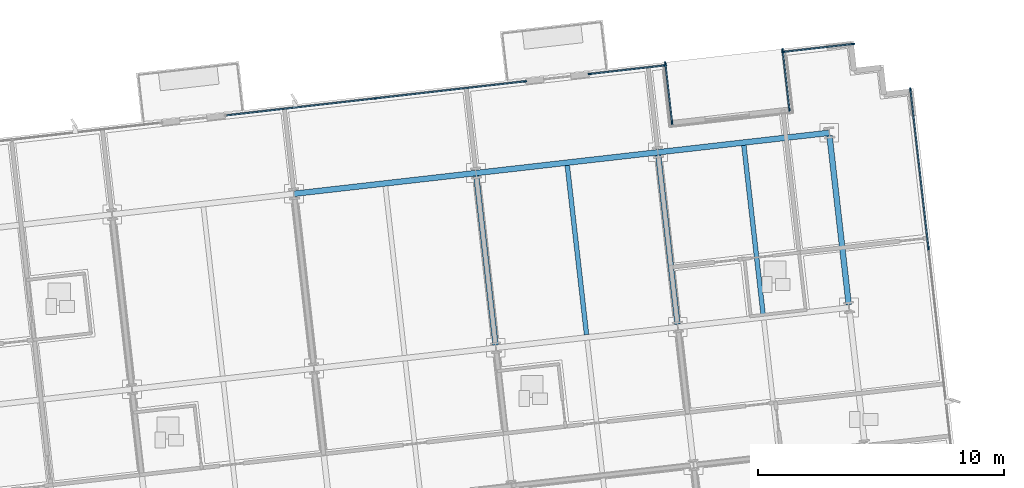
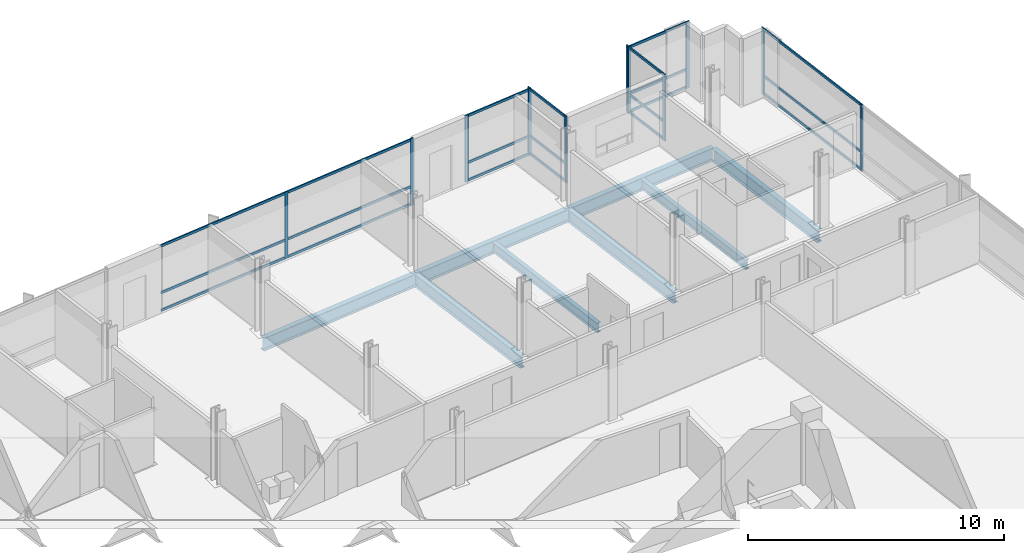
# One storey, part 7 of 16: 33 members, 8 beams, 6 elements without a shape of their own.
"""IFC4 building model written with IfcOpenShell, lengths in metres."""

from ifc_helpers import new_model, si_unit, direction, frame, origin, origin_2d, place, context, subcontext, project, spatial, rectangle, i_section, extrude, material, material_profile, profile_set, type_object, element, aggregate, save


model = new_model("IFC4")

# Units and contexts
model_context = context("Model", 3, precision=1e-05, world=origin(), true_north=direction((0.0, 1.0)))
body_context = subcontext(model_context, "Body", "Model", "MODEL_VIEW")
ifc_project = project(units=[si_unit("LENGTHUNIT", "METRE"), si_unit("AREAUNIT", "SQUARE_METRE"), si_unit("VOLUMEUNIT", "CUBIC_METRE"), si_unit("PLANEANGLEUNIT", "RADIAN"), si_unit("MASSUNIT", "GRAM", prefix="KILO")], contexts=[model_context])

# Site, building, storey
site_placement = place(None, origin())
site = spatial("IfcSite", under=ifc_project, at=site_placement, CompositionType="ELEMENT")
building_placement = place(site_placement, origin())
building = spatial("IfcBuilding", under=site, at=building_placement, Name="Solmavex Isthmus Hotel", CompositionType="ELEMENT")
storey_placement = place(building_placement, frame((0.0, 0.0, 219.300048828125)))
storey = spatial("IfcBuildingStorey", under=building, at=storey_placement, Name="L59", CompositionType="ELEMENT", Elevation=219.300048828125)

# Beams
ifc_material_1 = material(Name="Steel ASTM A992 Grade 50", Category="steel")
ifc_material_profile_1 = material_profile(ifc_material_1, i_section(OverallWidth=0.1904296875, OverallDepth=0.456787109375, WebThickness=0.009033203125, FlangeThickness=0.014404296875, FilletRadius=0.0126953125, at=origin_2d()), Name="W18X50")
ifc_profile_set_1 = profile_set([ifc_material_profile_1], Name="Steel ASTM A992 Grade 50")
beam_type_1 = type_object("IfcBeamType", Name="BM-BJ-W18X50", PredefinedType="JOIST", material=ifc_profile_set_1)
for number, where, z_axis, x_axis, name in (
    (1, (14.4072265625, 10.975830078125, -0.488525390625), (-0.113202453846, 0.993571942258, 0.0), (-0.993571942258, -0.113202453846, 0.0), "Secondary Floor Joist L59-J18"),
    (2, (21.587646484375, 11.7939453125, -0.488525390625), (-0.113202453846, 0.993571942258, 0.0), (-0.993571942258, -0.113202453846, 0.0), "Secondary Floor Joist L59-J21"),
):
    element("IfcBeam", number, at=place(storey_placement, frame(where, z_axis=z_axis, x_axis=x_axis)), inside=storey, type_object=beam_type_1, Name=name, PredefinedType="JOIST", context=body_context, shape_type="SweptSolid", body=[
        extrude(i_section(OverallWidth=0.1904296875, OverallDepth=0.456787109375, WebThickness=0.009033203125, FlangeThickness=0.014404296875, FilletRadius=0.0126953125, at=origin_2d()), origin(), (0.0, 0.0, 1.0), 6.9228515625),
    ])
ifc_material_profile_2 = material_profile(ifc_material_1, i_section(OverallWidth=0.227783203125, OverallDepth=0.602783203125, WebThickness=0.010498046875, FlangeThickness=0.014892578125, FilletRadius=0.01513671875, at=origin_2d()), Name="W24X68")
ifc_profile_set_2 = profile_set([ifc_material_profile_2], Name="Steel ASTM A992 Grade 50")
beam_type_2 = type_object("IfcBeamType", Name="BM-BM-W24X68", PredefinedType="BEAM", material=ifc_profile_set_2)
for number, where, z_axis, x_axis, name in (
    (3, (10.708251953125, 10.55419921875, -0.561279296875), (-0.113202453846, 0.993571942258, 0.0), (-0.993571942258, -0.113202453846, 0.0), "Floor Beam L59-VG39"),
    (4, (18.106201171875, 11.397216796875, -0.561279296875), (-0.113202453846, 0.993571942258, 0.0), (-0.993571942258, -0.113202453846, 0.0), "Floor Beam L59-VG42"),
):
    element("IfcBeam", number, at=place(storey_placement, frame(where, z_axis=z_axis, x_axis=x_axis)), inside=storey, type_object=beam_type_2, Name=name, PredefinedType="BEAM", context=body_context, shape_type="SweptSolid", body=[
        extrude(i_section(OverallWidth=0.227783203125, OverallDepth=0.602783203125, WebThickness=0.010498046875, FlangeThickness=0.014892578125, FilletRadius=0.01513671875, at=origin_2d()), origin(), (0.0, 0.0, 1.0), 6.9228515625),
    ])
ifc_material_profile_3 = material_profile(ifc_material_1, i_section(OverallWidth=0.230224609375, OverallDepth=0.617431640625, WebThickness=0.01318359375, FlangeThickness=0.022216796875, FilletRadius=0.01513671875, at=origin_2d()), Name="W24X94")
ifc_profile_set_3 = profile_set([ifc_material_profile_3], Name="Steel ASTM A992 Grade 50")
beam_type_3 = type_object("IfcBeamType", Name="BM-SP-W24X94", PredefinedType="SPANDREL", material=ifc_profile_set_3)
for number, where, z_axis, x_axis, name in (
    (5, (2.51318359375, 16.7041015625, -0.56884765625), (0.9935703463, 0.113216460607, 0.0), (-0.113216460607, 0.9935703463, 0.0), "Floor Girder L59-UG21"),
    (6, (9.911376953125, 17.547119140625, -0.56884765625), (0.9935703463, 0.113216460607, 0.0), (-0.113216460607, 0.9935703463, 0.0), "Floor Girder L59-UG22"),
):
    element("IfcBeam", number, at=place(storey_placement, frame(where, z_axis=z_axis, x_axis=x_axis)), inside=storey, type_object=beam_type_3, Name=name, PredefinedType="SPANDREL", context=body_context, shape_type="SweptSolid", body=[
        extrude(i_section(OverallWidth=0.230224609375, OverallDepth=0.617431640625, WebThickness=0.01318359375, FlangeThickness=0.022216796875, FilletRadius=0.01513671875, at=origin_2d()), origin(), (0.0, 0.0, 1.0), 7.446044921875),
    ])
beam_1_placement = place(storey_placement, frame((17.3095703125, 18.39013671875, -0.56884765625), z_axis=(0.99357359356, 0.113187959519, 0.0), x_axis=(-0.113187959519, 0.99357359356, 0.0)))
element("IfcBeam", 7, at=beam_1_placement, inside=storey, type_object=beam_type_3, Name="Floor Girder L59-UG23", PredefinedType="SPANDREL", context=body_context, shape_type="SweptSolid", body=[
    extrude(i_section(OverallWidth=0.230224609375, OverallDepth=0.617431640625, WebThickness=0.01318359375, FlangeThickness=0.022216796875, FilletRadius=0.01513671875, at=origin_2d()), origin(), (0.0, 0.0, 1.0), 7.0078125),
])
beam_2_placement = place(storey_placement, frame((25.0693359375, 12.1904296875, -0.56884765625), z_axis=(-0.113202453846, 0.993571942258, 0.0), x_axis=(-0.993571942258, -0.113202453846, 0.0)))
element("IfcBeam", 8, at=beam_2_placement, inside=storey, type_object=beam_type_3, Name="Floor Beam L59-VG45", PredefinedType="SPANDREL", context=body_context, shape_type="SweptSolid", body=[
    extrude(i_section(OverallWidth=0.230224609375, OverallDepth=0.617431640625, WebThickness=0.01318359375, FlangeThickness=0.022216796875, FilletRadius=0.01513671875, at=origin_2d()), origin(), (0.0, 0.0, 1.0), 6.9228515625),
])

# Curtain wall, members
ifc_material_2 = material(Name="Aluminium alloy 6063-T6", Category="aluminium")
curtain_wall_type = type_object("IfcCurtainWallType", Name="CW-SYS-06", PredefinedType="NOTDEFINED", material=ifc_material_2)
curtain_wall_1_placement = place(storey_placement, origin())
curtain_wall_1 = element("IfcCurtainWall", 9, at=curtain_wall_1_placement, inside=storey, type_object=curtain_wall_type, Name="Stick Curtain Wall CWL-L59-SGW", PredefinedType="NOTDEFINED")
ifc_material_profile_4 = material_profile(ifc_material_2, rectangle(XDim=0.06005859375, YDim=0.139892578125, at=origin_2d()), Name="CWM-60X140")
ifc_profile_set_4 = profile_set([ifc_material_profile_4], Name="Aluminium alloy 6063-T6")
member_type_1 = type_object("IfcMemberType", Name="CW-SYS-06-MUL", PredefinedType="MULLION", material=ifc_profile_set_4)
member_1_placement = place(storey_placement, frame((17.885009765625, 19.593017578125, 0.0), z_axis=(0.0, 0.0, 1.0), x_axis=(-0.993572045023, -0.113201551883, 0.0)))
member_1 = element("IfcMember", 10, at=member_1_placement, type_object=member_type_1, Name="CW-06 mullion 1", PredefinedType="MULLION", context=body_context, shape_type="SweptSolid", body=[
    extrude(rectangle(XDim=0.06005859375, YDim=0.139892578125, at=origin_2d()), origin(), (0.0, 0.0, 1.0), 3.18994140625),
])
member_2_placement = place(storey_placement, frame((17.611083984375, 21.997314453125, 0.0), z_axis=(0.0, 0.0, 1.0), x_axis=(-0.993572045023, -0.113201551883, 0.0)))
member_2 = element("IfcMember", 11, at=member_2_placement, type_object=member_type_1, Name="CW-06 mullion 2", PredefinedType="MULLION", context=body_context, shape_type="SweptSolid", body=[
    extrude(rectangle(XDim=0.06005859375, YDim=0.139892578125, at=origin_2d()), origin(), (0.0, 0.0, 1.0), 3.18994140625),
])

curtain_wall_2_placement = place(storey_placement, origin())
curtain_wall_2 = element("IfcCurtainWall", 12, at=curtain_wall_2_placement, inside=storey, type_object=curtain_wall_type, Name="Stick Curtain Wall CWL-L59-SGE", PredefinedType="NOTDEFINED")
member_3_placement = place(storey_placement, frame((22.654296875, 20.13623046875, 0.0), z_axis=(0.0, 0.0, 1.0), x_axis=(-0.993572045023, -0.113201551883, 0.0)))
member_3 = element("IfcMember", 13, at=member_3_placement, type_object=member_type_1, Name="CW-06 mullion 1", PredefinedType="MULLION", context=body_context, shape_type="SweptSolid", body=[
    extrude(rectangle(XDim=0.06005859375, YDim=0.139892578125, at=origin_2d()), origin(), (0.0, 0.0, 1.0), 3.18994140625),
])
member_4_placement = place(storey_placement, frame((22.38037109375, 22.540771484375, 0.0), z_axis=(0.0, 0.0, 1.0), x_axis=(-0.993572045023, -0.113201551883, 0.0)))
member_4 = element("IfcMember", 14, at=member_4_placement, type_object=member_type_1, Name="CW-06 mullion 2", PredefinedType="MULLION", context=body_context, shape_type="SweptSolid", body=[
    extrude(rectangle(XDim=0.06005859375, YDim=0.139892578125, at=origin_2d()), origin(), (0.0, 0.0, 1.0), 3.18994140625),
])

curtain_wall_3_placement = place(storey_placement, origin())
curtain_wall_3 = element("IfcCurtainWall", 15, at=curtain_wall_3_placement, inside=storey, type_object=curtain_wall_type, Name="Stick Curtain Wall CWL-L59-N2", PredefinedType="NOTDEFINED")
member_5_placement = place(storey_placement, frame((5.818359375, 20.583251953125, 0.0), z_axis=(0.0, 0.0, 1.0), x_axis=(-0.113202856801, 0.993571896348, 0.0)))
member_5 = element("IfcMember", 16, at=member_5_placement, type_object=member_type_1, Name="CW-06 mullion 2", PredefinedType="MULLION", context=body_context, shape_type="SweptSolid", body=[
    extrude(rectangle(XDim=0.06005859375, YDim=0.139892578125, at=origin_2d()), origin(), (0.0, 0.0, 1.0), 3.18994140625),
])
member_6_placement = place(storey_placement, frame((11.89501953125, 21.275634765625, 0.0), z_axis=(0.0, 0.0, 1.0), x_axis=(-0.113202856801, 0.993571896348, 0.0)))
member_6 = element("IfcMember", 17, at=member_6_placement, type_object=member_type_1, Name="CW-06 mullion 3", PredefinedType="MULLION", context=body_context, shape_type="SweptSolid", body=[
    extrude(rectangle(XDim=0.06005859375, YDim=0.139892578125, at=origin_2d()), origin(), (0.0, 0.0, 1.0), 3.18994140625),
])

curtain_wall_4_placement = place(storey_placement, origin())
curtain_wall_4 = element("IfcCurtainWall", 18, at=curtain_wall_4_placement, inside=storey, type_object=curtain_wall_type, Name="Stick Curtain Wall CWL-L59-N3", PredefinedType="NOTDEFINED")
member_7_placement = place(storey_placement, frame((14.5380859375, 21.57666015625, 0.0), z_axis=(0.0, 0.0, 1.0), x_axis=(-0.113203212138, 0.993571855862, 0.0)))
member_7 = element("IfcMember", 19, at=member_7_placement, type_object=member_type_1, Name="CW-06 mullion 1", PredefinedType="MULLION", context=body_context, shape_type="SweptSolid", body=[
    extrude(rectangle(XDim=0.06005859375, YDim=0.139892578125, at=origin_2d()), origin(), (0.0, 0.0, 1.0), 3.18994140625),
])
member_8_placement = place(storey_placement, frame((17.58935546875, 21.92431640625, 0.0), z_axis=(0.0, 0.0, 1.0), x_axis=(-0.113203212138, 0.993571855862, 0.0)))
member_8 = element("IfcMember", 20, at=member_8_placement, type_object=member_type_1, Name="CW-06 mullion 2", PredefinedType="MULLION", context=body_context, shape_type="SweptSolid", body=[
    extrude(rectangle(XDim=0.06005859375, YDim=0.139892578125, at=origin_2d()), origin(), (0.0, 0.0, 1.0), 3.18994140625),
])

curtain_wall_5_placement = place(storey_placement, origin())
curtain_wall_5 = element("IfcCurtainWall", 21, at=curtain_wall_5_placement, inside=storey, type_object=curtain_wall_type, Name="Stick Curtain Wall CWL-L59-N4", PredefinedType="NOTDEFINED")
member_9_placement = place(storey_placement, frame((22.41796875, 22.474609375, 0.0), z_axis=(0.0, 0.0, 1.0), x_axis=(-0.113203382497, 0.993571836452, 0.0)))
member_9 = element("IfcMember", 22, at=member_9_placement, type_object=member_type_1, Name="CW-06 mullion 1", PredefinedType="MULLION", context=body_context, shape_type="SweptSolid", body=[
    extrude(rectangle(XDim=0.06005859375, YDim=0.139892578125, at=origin_2d()), origin(), (0.0, 0.0, 1.0), 3.18994140625),
])
member_10_placement = place(storey_placement, frame((25.23974609375, 22.796142578125, 0.0), z_axis=(0.0, 0.0, 1.0), x_axis=(-0.113203382497, 0.993571836452, 0.0)))
member_10 = element("IfcMember", 23, at=member_10_placement, type_object=member_type_1, Name="CW-06 mullion 2", PredefinedType="MULLION", context=body_context, shape_type="SweptSolid", body=[
    extrude(rectangle(XDim=0.06005859375, YDim=0.139892578125, at=origin_2d()), origin(), (0.0, 0.0, 1.0), 3.18994140625),
])

curtain_wall_6_placement = place(storey_placement, origin())
curtain_wall_6 = element("IfcCurtainWall", 24, at=curtain_wall_6_placement, inside=storey, type_object=curtain_wall_type, Name="Stick Curtain Wall CWL-L59-E1", PredefinedType="NOTDEFINED")
member_11_placement = place(storey_placement, frame((28.309814453125, 14.490234375, 0.0), z_axis=(0.0, 0.0, 1.0), x_axis=(-0.993571836648, -0.11320338078, 0.0)))
member_11 = element("IfcMember", 25, at=member_11_placement, type_object=member_type_1, Name="CW-06 mullion 5", PredefinedType="MULLION", context=body_context, shape_type="SweptSolid", body=[
    extrude(rectangle(XDim=0.06005859375, YDim=0.139892578125, at=origin_2d()), origin(), (0.0, 0.0, 1.0), 3.18994140625),
])
member_12_placement = place(storey_placement, frame((27.574951171875, 20.9384765625, 0.0), z_axis=(0.0, 0.0, 1.0), x_axis=(-0.993571836648, -0.11320338078, 0.0)))
member_12 = element("IfcMember", 26, at=member_12_placement, type_object=member_type_1, Name="CW-06 mullion 6", PredefinedType="MULLION", context=body_context, shape_type="SweptSolid", body=[
    extrude(rectangle(XDim=0.06005859375, YDim=0.139892578125, at=origin_2d()), origin(), (0.0, 0.0, 1.0), 3.18994140625),
])

# Member
ifc_material_profile_5 = material_profile(ifc_material_2, rectangle(XDim=0.06005859375, YDim=0.114990234375, at=origin_2d()), Name="CWT-60X115")
ifc_profile_set_5 = profile_set([ifc_material_profile_5], Name="Aluminium alloy 6063-T6")
member_type_2 = type_object("IfcMemberType", Name="CW-SYS-06-TRN", PredefinedType="USERDEFINED", material=ifc_profile_set_5)
member_13_placement = place(storey_placement, frame((17.881591796875, 19.622802734375, 0.057373046875), z_axis=(-0.113178949831, 0.993574619903, 0.0), x_axis=(-0.993574619903, -0.113178949831, 0.0)))
member_13 = element("IfcMember", 27, at=member_13_placement, type_object=member_type_2, Name="CW-06 transom 1.1", ObjectType="TRANSOM", PredefinedType="USERDEFINED", context=body_context, shape_type="SweptSolid", body=[
    extrude(rectangle(XDim=0.06005859375, YDim=0.114990234375, at=origin_2d()), origin(), (0.0, 0.0, 1.0), 2.35986328125),
])

member_14_placement = place(storey_placement, frame((17.881591796875, 19.622802734375, 0.89990234375), z_axis=(-0.113178949831, 0.993574619903, 0.0), x_axis=(-0.993574619903, -0.113178949831, 0.0)))
member_14 = element("IfcMember", 28, at=member_14_placement, type_object=member_type_2, Name="CW-06 transom 1.2", ObjectType="TRANSOM", PredefinedType="USERDEFINED", context=body_context, shape_type="SweptSolid", body=[
    extrude(rectangle(XDim=0.06005859375, YDim=0.114990234375, at=origin_2d()), origin(), (0.0, 0.0, 1.0), 2.35986328125),
])

member_15_placement = place(storey_placement, frame((17.881591796875, 19.622802734375, 3.132568359375), z_axis=(-0.113178949831, 0.993574619903, 0.0), x_axis=(-0.993574619903, -0.113178949831, 0.0)))
member_15 = element("IfcMember", 29, at=member_15_placement, type_object=member_type_2, Name="CW-06 transom 1.3", ObjectType="TRANSOM", PredefinedType="USERDEFINED", context=body_context, shape_type="SweptSolid", body=[
    extrude(rectangle(XDim=0.06005859375, YDim=0.114990234375, at=origin_2d()), origin(), (0.0, 0.0, 1.0), 2.35986328125),
])

aggregate(curtain_wall_1, [member_1, member_2, member_13, member_14, member_15])

member_16_placement = place(storey_placement, frame((22.65087890625, 20.166015625, 0.057373046875), z_axis=(-0.113269434447, 0.993564308548, 0.0), x_axis=(-0.993564308548, -0.113269434447, 0.0)))
member_16 = element("IfcMember", 30, at=member_16_placement, type_object=member_type_2, Name="CW-06 transom 1.1", ObjectType="TRANSOM", PredefinedType="USERDEFINED", context=body_context, shape_type="SweptSolid", body=[
    extrude(rectangle(XDim=0.06005859375, YDim=0.114990234375, at=origin_2d()), origin(), (0.0, 0.0, 1.0), 2.360107421875),
])

member_17_placement = place(storey_placement, frame((22.65087890625, 20.166015625, 0.89990234375), z_axis=(-0.113269434447, 0.993564308548, 0.0), x_axis=(-0.993564308548, -0.113269434447, 0.0)))
member_17 = element("IfcMember", 31, at=member_17_placement, type_object=member_type_2, Name="CW-06 transom 1.2", ObjectType="TRANSOM", PredefinedType="USERDEFINED", context=body_context, shape_type="SweptSolid", body=[
    extrude(rectangle(XDim=0.06005859375, YDim=0.114990234375, at=origin_2d()), origin(), (0.0, 0.0, 1.0), 2.360107421875),
])

member_18_placement = place(storey_placement, frame((22.65087890625, 20.166015625, 3.132568359375), z_axis=(-0.113269434447, 0.993564308548, 0.0), x_axis=(-0.993564308548, -0.113269434447, 0.0)))
member_18 = element("IfcMember", 32, at=member_18_placement, type_object=member_type_2, Name="CW-06 transom 1.3", ObjectType="TRANSOM", PredefinedType="USERDEFINED", context=body_context, shape_type="SweptSolid", body=[
    extrude(rectangle(XDim=0.06005859375, YDim=0.114990234375, at=origin_2d()), origin(), (0.0, 0.0, 1.0), 2.360107421875),
])

aggregate(curtain_wall_2, [member_3, member_4, member_16, member_17, member_18])

member_19_placement = place(storey_placement, frame((-0.228515625, 19.894287109375, 0.057373046875), z_axis=(0.99357211414, 0.113200945245, 0.0), x_axis=(-0.113200945245, 0.99357211414, 0.0)))
member_19 = element("IfcMember", 33, at=member_19_placement, type_object=member_type_2, Name="CW-06 transom 1.1", ObjectType="TRANSOM", PredefinedType="USERDEFINED", context=body_context, shape_type="SweptSolid", body=[
    extrude(rectangle(XDim=0.06005859375, YDim=0.114990234375, at=origin_2d()), origin(), (0.0, 0.0, 1.0), 6.055908203125),
])

member_20_placement = place(storey_placement, frame((-0.228515625, 19.894287109375, 0.89990234375), z_axis=(0.99357211414, 0.113200945245, 0.0), x_axis=(-0.113200945245, 0.99357211414, 0.0)))
member_20 = element("IfcMember", 34, at=member_20_placement, type_object=member_type_2, Name="CW-06 transom 1.2", ObjectType="TRANSOM", PredefinedType="USERDEFINED", context=body_context, shape_type="SweptSolid", body=[
    extrude(rectangle(XDim=0.06005859375, YDim=0.114990234375, at=origin_2d()), origin(), (0.0, 0.0, 1.0), 6.055908203125),
])

member_21_placement = place(storey_placement, frame((-0.228515625, 19.894287109375, 3.132568359375), z_axis=(0.99357211414, 0.113200945245, 0.0), x_axis=(-0.113200945245, 0.99357211414, 0.0)))
member_21 = element("IfcMember", 35, at=member_21_placement, type_object=member_type_2, Name="CW-06 transom 1.3", ObjectType="TRANSOM", PredefinedType="USERDEFINED", context=body_context, shape_type="SweptSolid", body=[
    extrude(rectangle(XDim=0.06005859375, YDim=0.114990234375, at=origin_2d()), origin(), (0.0, 0.0, 1.0), 6.055908203125),
])

member_22_placement = place(storey_placement, frame((5.84814453125, 20.586669921875, 0.057373046875), z_axis=(0.99357211414, 0.113200945245, 0.0), x_axis=(-0.113200945245, 0.99357211414, 0.0)))
member_22 = element("IfcMember", 36, at=member_22_placement, type_object=member_type_2, Name="CW-06 transom 2.1", ObjectType="TRANSOM", PredefinedType="USERDEFINED", context=body_context, shape_type="SweptSolid", body=[
    extrude(rectangle(XDim=0.06005859375, YDim=0.114990234375, at=origin_2d()), origin(), (0.0, 0.0, 1.0), 6.055908203125),
])

member_23_placement = place(storey_placement, frame((5.84814453125, 20.586669921875, 0.89990234375), z_axis=(0.99357211414, 0.113200945245, 0.0), x_axis=(-0.113200945245, 0.99357211414, 0.0)))
member_23 = element("IfcMember", 37, at=member_23_placement, type_object=member_type_2, Name="CW-06 transom 2.2", ObjectType="TRANSOM", PredefinedType="USERDEFINED", context=body_context, shape_type="SweptSolid", body=[
    extrude(rectangle(XDim=0.06005859375, YDim=0.114990234375, at=origin_2d()), origin(), (0.0, 0.0, 1.0), 6.055908203125),
])

member_24_placement = place(storey_placement, frame((5.84814453125, 20.586669921875, 3.132568359375), z_axis=(0.99357211414, 0.113200945245, 0.0), x_axis=(-0.113200945245, 0.99357211414, 0.0)))
member_24 = element("IfcMember", 38, at=member_24_placement, type_object=member_type_2, Name="CW-06 transom 2.3", ObjectType="TRANSOM", PredefinedType="USERDEFINED", context=body_context, shape_type="SweptSolid", body=[
    extrude(rectangle(XDim=0.06005859375, YDim=0.114990234375, at=origin_2d()), origin(), (0.0, 0.0, 1.0), 6.055908203125),
])

aggregate(curtain_wall_3, [member_5, member_6, member_19, member_20, member_21, member_22, member_23, member_24])

member_25_placement = place(storey_placement, frame((14.56787109375, 21.580078125, 0.057373046875), z_axis=(0.993563215899, 0.113279018413, 0.0), x_axis=(-0.113279018413, 0.993563215899, 0.0)))
member_25 = element("IfcMember", 39, at=member_25_placement, type_object=member_type_2, Name="CW-06 transom 1.1", ObjectType="TRANSOM", PredefinedType="USERDEFINED", context=body_context, shape_type="SweptSolid", body=[
    extrude(rectangle(XDim=0.06005859375, YDim=0.114990234375, at=origin_2d()), origin(), (0.0, 0.0, 1.0), 3.0107421875),
])

member_26_placement = place(storey_placement, frame((14.56787109375, 21.580078125, 0.89990234375), z_axis=(0.993563215899, 0.113279018413, 0.0), x_axis=(-0.113279018413, 0.993563215899, 0.0)))
member_26 = element("IfcMember", 40, at=member_26_placement, type_object=member_type_2, Name="CW-06 transom 1.2", ObjectType="TRANSOM", PredefinedType="USERDEFINED", context=body_context, shape_type="SweptSolid", body=[
    extrude(rectangle(XDim=0.06005859375, YDim=0.114990234375, at=origin_2d()), origin(), (0.0, 0.0, 1.0), 3.0107421875),
])

member_27_placement = place(storey_placement, frame((14.56787109375, 21.580078125, 3.132568359375), z_axis=(0.993563215899, 0.113279018413, 0.0), x_axis=(-0.113279018413, 0.993563215899, 0.0)))
member_27 = element("IfcMember", 41, at=member_27_placement, type_object=member_type_2, Name="CW-06 transom 1.3", ObjectType="TRANSOM", PredefinedType="USERDEFINED", context=body_context, shape_type="SweptSolid", body=[
    extrude(rectangle(XDim=0.06005859375, YDim=0.114990234375, at=origin_2d()), origin(), (0.0, 0.0, 1.0), 3.0107421875),
])

aggregate(curtain_wall_4, [member_7, member_8, member_25, member_26, member_27])

member_28_placement = place(storey_placement, frame((22.44775390625, 22.47802734375, 0.057373046875), z_axis=(0.993572522109, 0.113197364416, 0.0), x_axis=(-0.113197364416, 0.993572522109, 0.0)))
member_28 = element("IfcMember", 42, at=member_28_placement, type_object=member_type_2, Name="CW-06 transom 1.1", ObjectType="TRANSOM", PredefinedType="USERDEFINED", context=body_context, shape_type="SweptSolid", body=[
    extrude(rectangle(XDim=0.06005859375, YDim=0.114990234375, at=origin_2d()), origin(), (0.0, 0.0, 1.0), 2.780029296875),
])

member_29_placement = place(storey_placement, frame((22.44775390625, 22.47802734375, 0.89990234375), z_axis=(0.993572522109, 0.113197364416, 0.0), x_axis=(-0.113197364416, 0.993572522109, 0.0)))
member_29 = element("IfcMember", 43, at=member_29_placement, type_object=member_type_2, Name="CW-06 transom 1.2", ObjectType="TRANSOM", PredefinedType="USERDEFINED", context=body_context, shape_type="SweptSolid", body=[
    extrude(rectangle(XDim=0.06005859375, YDim=0.114990234375, at=origin_2d()), origin(), (0.0, 0.0, 1.0), 2.780029296875),
])

member_30_placement = place(storey_placement, frame((22.44775390625, 22.47802734375, 3.132568359375), z_axis=(0.993572522109, 0.113197364416, 0.0), x_axis=(-0.113197364416, 0.993572522109, 0.0)))
member_30 = element("IfcMember", 44, at=member_30_placement, type_object=member_type_2, Name="CW-06 transom 1.3", ObjectType="TRANSOM", PredefinedType="USERDEFINED", context=body_context, shape_type="SweptSolid", body=[
    extrude(rectangle(XDim=0.06005859375, YDim=0.114990234375, at=origin_2d()), origin(), (0.0, 0.0, 1.0), 2.780029296875),
])

aggregate(curtain_wall_5, [member_9, member_10, member_28, member_29, member_30])

member_31_placement = place(storey_placement, frame((28.306396484375, 14.52001953125, 0.057373046875), z_axis=(-0.113223191888, 0.993569579254, 0.0), x_axis=(-0.993569579254, -0.113223191888, 0.0)))
member_31 = element("IfcMember", 45, at=member_31_placement, type_object=member_type_2, Name="CW-06 transom 5.1", ObjectType="TRANSOM", PredefinedType="USERDEFINED", context=body_context, shape_type="SweptSolid", body=[
    extrude(rectangle(XDim=0.06005859375, YDim=0.114990234375, at=origin_2d()), origin(), (0.0, 0.0, 1.0), 6.429931640625),
])

member_32_placement = place(storey_placement, frame((28.306396484375, 14.52001953125, 0.89990234375), z_axis=(-0.113223191888, 0.993569579254, 0.0), x_axis=(-0.993569579254, -0.113223191888, 0.0)))
member_32 = element("IfcMember", 46, at=member_32_placement, type_object=member_type_2, Name="CW-06 transom 5.2", ObjectType="TRANSOM", PredefinedType="USERDEFINED", context=body_context, shape_type="SweptSolid", body=[
    extrude(rectangle(XDim=0.06005859375, YDim=0.114990234375, at=origin_2d()), origin(), (0.0, 0.0, 1.0), 6.429931640625),
])

member_33_placement = place(storey_placement, frame((28.306396484375, 14.52001953125, 3.132568359375), z_axis=(-0.113223191888, 0.993569579254, 0.0), x_axis=(-0.993569579254, -0.113223191888, 0.0)))
member_33 = element("IfcMember", 47, at=member_33_placement, type_object=member_type_2, Name="CW-06 transom 5.3", ObjectType="TRANSOM", PredefinedType="USERDEFINED", context=body_context, shape_type="SweptSolid", body=[
    extrude(rectangle(XDim=0.06005859375, YDim=0.114990234375, at=origin_2d()), origin(), (0.0, 0.0, 1.0), 6.429931640625),
])

aggregate(curtain_wall_6, [member_11, member_12, member_31, member_32, member_33])

save(model, "model.ifc")
